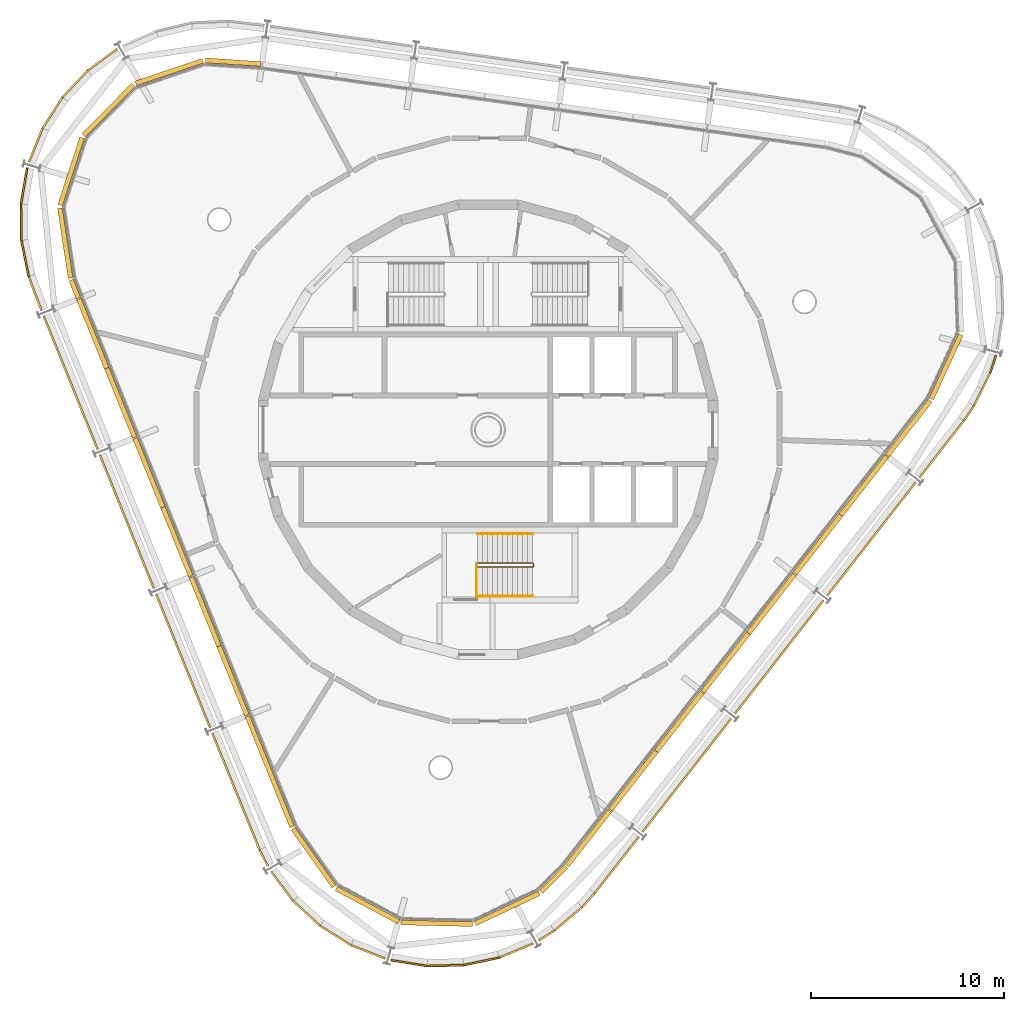
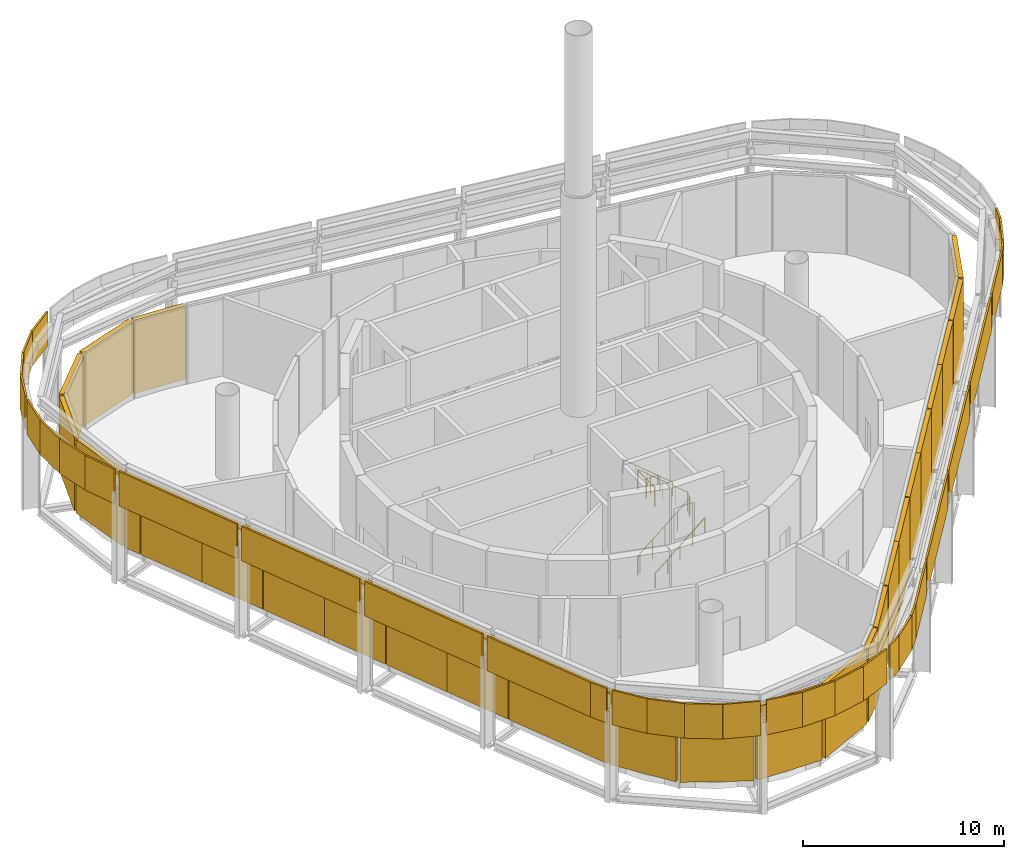
# One storey, part 14 of 15: 32 coverings, 27 shading devices, 4 railings.
"""IFC4 building model written with IfcOpenShell, lengths in metres."""

from ifc_helpers import new_model, si_unit, direction, frame, origin, origin_2d, place, context, subcontext, project, spatial, polyline, rectangle, circle, outline, extrude, material, layer, layer_set, type_object, element, save


model = new_model("IFC4")

# Units and contexts
model_context = context("Model", 3, precision=1e-05, world=origin(), true_north=direction((0.0, 1.0)))
body_context = subcontext(model_context, "Body", "Model", "MODEL_VIEW")
ifc_project = project(units=[si_unit("LENGTHUNIT", "METRE"), si_unit("AREAUNIT", "SQUARE_METRE"), si_unit("VOLUMEUNIT", "CUBIC_METRE"), si_unit("PLANEANGLEUNIT", "RADIAN"), si_unit("MASSUNIT", "GRAM", prefix="KILO")], contexts=[model_context])

# Site, building, storey
site_placement = place(None, origin())
site = spatial("IfcSite", under=ifc_project, at=site_placement, CompositionType="ELEMENT")
building_placement = place(site_placement, origin())
building = spatial("IfcBuilding", under=site, at=building_placement, Name="Spindle Arch Residences", CompositionType="ELEMENT")
storey_placement = place(building_placement, frame((0.0, 0.0, 366.199951171875)))
storey = spatial("IfcBuildingStorey", under=building, at=storey_placement, Name="L94", CompositionType="ELEMENT", Elevation=366.199951171875)

# Shading devices
ifc_material_1 = material(Name="Bronze anodised aluminium louvre blades", Category="aluminium")
shading_device_type = type_object("IfcShadingDeviceType", Name="Bronze louvre bank 250", PredefinedType="USERDEFINED", material=ifc_material_1)
shading_device_1_placement = place(storey_placement, frame((21.79150390625, 0.078857421875, 0.199951171875), z_axis=(0.0, 0.0, 1.0), x_axis=(0.615661475326, 0.788010753607, 0.0)))
element("IfcShadingDevice", 1, at=shading_device_1_placement, inside=storey, type_object=shading_device_type, Name="Crown louvre L94 00", ObjectType="LOUVRE", PredefinedType="USERDEFINED", context=body_context, shape_type="SweptSolid", body=[
    extrude(rectangle(XDim=3.60009765625, YDim=0.25, at=origin_2d()), origin(), (0.0, 0.0, 1.0), 4.47998046875),
])
shading_device_2_placement = place(storey_placement, frame((23.720703125, 3.255126953125, 0.199951171875), z_axis=(0.0, 0.0, 1.0), x_axis=(0.417338452362, 0.908751129947, 0.0)))
element("IfcShadingDevice", 2, at=shading_device_2_placement, inside=storey, type_object=shading_device_type, Name="Crown louvre L94 01", ObjectType="LOUVRE", PredefinedType="USERDEFINED", context=body_context, shape_type="SweptSolid", body=[
    extrude(rectangle(XDim=3.666748046875, YDim=0.25, at=origin_2d()), origin(), (0.0, 0.0, 1.0), 4.47998046875),
])
shading_device_3_placement = place(storey_placement, frame((-13.19873046875, 19.0361328125, 0.199951171875), z_axis=(0.0, 0.0, 1.0), x_axis=(-0.99785193122, 0.065509719587, 0.0)))
element("IfcShadingDevice", 3, at=shading_device_3_placement, inside=storey, type_object=shading_device_type, Name="Crown louvre L94 00", ObjectType="LOUVRE", PredefinedType="USERDEFINED", context=body_context, shape_type="SweptSolid", body=[
    extrude(rectangle(XDim=2.883056640625, YDim=0.25, at=origin_2d()), origin(), (0.0, 0.0, 1.0), 4.47998046875),
])
for number, where, z_axis, x_axis, name in (
    (4, (-16.511474609375, 18.52587890625, 0.199951171875), (0.0, 0.0, 1.0), (-0.947396640541, -0.320061877599, 0.0), "Crown louvre L94 01"),
    (5, (-19.6669921875, 16.553955078125, 0.199951171875), (0.0, 0.0, 1.0), (-0.702981055369, -0.711208574043, 0.0), "Crown louvre L94 02"),
    (6, (-21.601806640625, 13.375732421875, 0.199951171875), (0.0, 0.0, 1.0), (-0.309016990673, -0.951056517498, 0.0), "Crown louvre L94 03"),
    (7, (-21.904541015625, 9.667236328125, 0.199951171875), (0.0, 0.0, 1.0), (0.150685718984, -0.988581718471, 0.0), "Crown louvre L94 04"),
):
    element("IfcShadingDevice", number, at=place(storey_placement, frame(where, z_axis=z_axis, x_axis=x_axis)), inside=storey, type_object=shading_device_type, Name=name, ObjectType="LOUVRE", PredefinedType="USERDEFINED", context=body_context, shape_type="SweptSolid", body=[
        extrude(rectangle(XDim=3.666748046875, YDim=0.25, at=origin_2d()), origin(), (0.0, 0.0, 1.0), 4.47998046875),
    ])
shading_device_4_placement = place(storey_placement, frame((-21.41064453125, 7.282470703125, 0.199951171875), z_axis=(0.0, 0.0, 1.0), x_axis=(0.374606593416, -0.927183854567, 0.0)))
element("IfcShadingDevice", 8, at=shading_device_4_placement, inside=storey, type_object=shading_device_type, Name="Crown louvre L94 05", ObjectType="LOUVRE", PredefinedType="USERDEFINED", context=body_context, shape_type="SweptSolid", body=[
    extrude(rectangle(XDim=1.01171875, YDim=0.25, at=origin_2d()), origin(), (0.0, 0.0, 1.0), 4.47998046875),
])
for number, where, z_axis, x_axis, name in (
    (9, (-20.476806640625, 4.9716796875, 0.199951171875), (0.0, 0.0, 1.0), (0.374606593416, -0.927183854567, 0.0), "Crown louvre L94 11A"),
    (10, (-19.03369140625, 1.3994140625, 0.199951171875), (0.0, 0.0, 1.0), (0.374606593416, -0.927183854567, 0.0), "Crown louvre L94 11B"),
    (11, (-17.56787109375, -2.228271484375, 0.199951171875), (0.0, 0.0, 1.0), (0.374606593416, -0.927183854567, 0.0), "Crown louvre L94 12A"),
    (12, (-16.12451171875, -5.800537109375, 0.199951171875), (0.0, 0.0, 1.0), (0.374606593416, -0.927183854567, 0.0), "Crown louvre L94 12B"),
    (13, (-14.658935546875, -9.428466796875, 0.199951171875), (0.0, 0.0, 1.0), (0.374606593416, -0.927183854567, 0.0), "Crown louvre L94 13A"),
    (14, (-13.215576171875, -13.000732421875, 0.199951171875), (0.0, 0.0, 1.0), (0.374606593416, -0.927183854567, 0.0), "Crown louvre L94 13B"),
):
    element("IfcShadingDevice", number, at=place(storey_placement, frame(where, z_axis=z_axis, x_axis=x_axis)), inside=storey, type_object=shading_device_type, Name=name, ObjectType="LOUVRE", PredefinedType="USERDEFINED", context=body_context, shape_type="SweptSolid", body=[
        extrude(rectangle(XDim=3.852783203125, YDim=0.25, at=origin_2d()), origin(), (0.0, 0.0, 1.0), 4.47998046875),
    ])
shading_device_5_placement = place(storey_placement, frame((-11.312255859375, -17.711669921875, 0.199951171875), z_axis=(0.0, 0.0, 1.0), x_axis=(0.374606593416, -0.927183854567, 0.0)))
element("IfcShadingDevice", 15, at=shading_device_5_placement, inside=storey, type_object=shading_device_type, Name="Crown louvre L94 00", ObjectType="LOUVRE", PredefinedType="USERDEFINED", context=body_context, shape_type="SweptSolid", body=[
    extrude(rectangle(XDim=6.188720703125, YDim=0.25, at=origin_2d()), origin(), (0.0, 0.0, 1.0), 4.47998046875),
])
for number, where, z_axis, x_axis, name in (
    (16, (-9.041259765625, -22.17041015625, 0.199951171875), (0.0, 0.0, 1.0), (0.578332338584, -0.815801266332, 0.0), "Crown louvre L94 01"),
    (17, (-6.24755859375, -24.627685546875, 0.199951171875), (0.0, 0.0, 1.0), (0.882947592408, -0.469471563633, 0.0), "Crown louvre L94 02"),
    (18, (-2.64794921875, -25.56982421875, 0.199951171875), (0.0, 0.0, 1.0), (0.999729241109, -0.023268959422, 0.0), "Crown louvre L94 03"),
    (19, (0.99169921875, -24.796142578125, 0.199951171875), (0.0, 0.0, 1.0), (0.903833768547, 0.427883767902, 0.0), "Crown louvre L94 04"),
):
    element("IfcShadingDevice", number, at=place(storey_placement, frame(where, z_axis=z_axis, x_axis=x_axis)), inside=storey, type_object=shading_device_type, Name=name, ObjectType="LOUVRE", PredefinedType="USERDEFINED", context=body_context, shape_type="SweptSolid", body=[
        extrude(rectangle(XDim=3.666748046875, YDim=0.25, at=origin_2d()), origin(), (0.0, 0.0, 1.0), 4.47998046875),
    ])
shading_device_6_placement = place(storey_placement, frame((3.393310546875, -23.29052734375, 0.199951171875), z_axis=(0.0, 0.0, 1.0), x_axis=(0.702981053644, 0.711208575748, 0.0)))
element("IfcShadingDevice", 20, at=shading_device_6_placement, inside=storey, type_object=shading_device_type, Name="Crown louvre L94 05", ObjectType="LOUVRE", PredefinedType="USERDEFINED", context=body_context, shape_type="SweptSolid", body=[
    extrude(rectangle(XDim=1.816162109375, YDim=0.25, at=origin_2d()), origin(), (0.0, 0.0, 1.0), 4.47998046875),
])
shading_device_7_placement = place(storey_placement, frame((5.1953125, -21.163330078125, 0.199951171875), z_axis=(0.0, 0.0, 1.0), x_axis=(0.615661475326, 0.788010753607, 0.0)))
element("IfcShadingDevice", 21, at=shading_device_7_placement, inside=storey, type_object=shading_device_type, Name="Crown louvre L94 06", ObjectType="LOUVRE", PredefinedType="USERDEFINED", context=body_context, shape_type="SweptSolid", body=[
    extrude(rectangle(XDim=3.60009765625, YDim=0.25, at=origin_2d()), origin(), (0.0, 0.0, 1.0), 4.47998046875),
])
for number, where, z_axis, x_axis, name in (
    (22, (7.5263671875, -18.1796875, 0.199951171875), (0.0, 0.0, 1.0), (0.615661475326, 0.788010753607, 0.0), "Crown louvre L94 18A"),
    (23, (9.8984375, -15.1435546875, 0.199951171875), (0.0, 0.0, 1.0), (0.615661475326, 0.788010753607, 0.0), "Crown louvre L94 18B"),
    (24, (12.307373046875, -12.060302734375, 0.199951171875), (0.0, 0.0, 1.0), (0.615661475326, 0.788010753607, 0.0), "Crown louvre L94 19A"),
    (25, (14.679443359375, -9.024169921875, 0.199951171875), (0.0, 0.0, 1.0), (0.615661475326, 0.788010753607, 0.0), "Crown louvre L94 19B"),
    (26, (17.08837890625, -5.94091796875, 0.199951171875), (0.0, 0.0, 1.0), (0.615661475326, 0.788010753607, 0.0), "Crown louvre L94 00A"),
    (27, (19.46044921875, -2.90478515625, 0.199951171875), (0.0, 0.0, 1.0), (0.615661475326, 0.788010753607, 0.0), "Crown louvre L94 00B"),
):
    element("IfcShadingDevice", number, at=place(storey_placement, frame(where, z_axis=z_axis, x_axis=x_axis)), inside=storey, type_object=shading_device_type, Name=name, ObjectType="LOUVRE", PredefinedType="USERDEFINED", context=body_context, shape_type="SweptSolid", body=[
        extrude(rectangle(XDim=3.852783203125, YDim=0.25, at=origin_2d()), origin(), (0.0, 0.0, 1.0), 4.47998046875),
    ])

# Coverings
ifc_material_2 = material(Name="Bronze anodised aluminium cladding panel", Category="aluminium")
ifc_layer = layer(ifc_material_2, 0.10009765625)
ifc_layer_set = layer_set([ifc_layer], Name="Crown cladding panel 100")
covering_type = type_object("IfcCoveringType", Name="Crown cladding panel 100", PredefinedType="CLADDING", material=ifc_layer_set)
covering_1_placement = place(storey_placement, frame((0.0, 0.0, 4.300048828125)))
element("IfcCovering", 28, at=covering_1_placement, inside=storey, type_object=covering_type, Name="Crown cladding panel 1.1", PredefinedType="CLADDING", context=body_context, shape_type="SweptSolid", body=[
    extrude(outline(polyline([(22.12109375, -2.691162109375), (22.19970703125, -2.752685546875), (17.603515625, -8.6357421875), (17.524658203125, -8.57421875), (22.12109375, -2.691162109375)])), origin(), (0.0, 0.0, 1.0), 2.10009765625),
])
covering_2_placement = place(storey_placement, frame((0.0, 0.0, 4.300048828125)))
element("IfcCovering", 29, at=covering_2_placement, inside=storey, type_object=covering_type, Name="Crown cladding panel 2.1", PredefinedType="CLADDING", context=body_context, shape_type="SweptSolid", body=[
    extrude(outline(polyline([(24.60498046875, 0.492431640625), (24.683837890625, 0.430908203125), (22.384521484375, -2.516357421875), (22.3056640625, -2.454833984375), (24.60498046875, 0.492431640625)])), origin(), (0.0, 0.0, 1.0), 2.10009765625),
])
covering_3_placement = place(storey_placement, frame((0.0, 0.0, 4.300048828125)))
element("IfcCovering", 30, at=covering_3_placement, inside=storey, type_object=covering_type, Name="Crown cladding panel 2.2", PredefinedType="CLADDING", context=body_context, shape_type="SweptSolid", body=[
    extrude(outline(polyline([(25.13671875, 1.2783203125), (25.219482421875, 1.22216796875), (24.684814453125, 0.43212890625), (24.60205078125, 0.48828125), (25.13671875, 1.2783203125)])), origin(), (0.0, 0.0, 1.0), 2.10009765625),
])
covering_4_placement = place(storey_placement, frame((0.0, 0.0, 4.300048828125)))
element("IfcCovering", 31, at=covering_4_placement, inside=storey, type_object=covering_type, Name="Crown cladding panel 2.3", PredefinedType="CLADDING", context=body_context, shape_type="SweptSolid", body=[
    extrude(outline(polyline([(25.970703125, 2.978515625), (26.060546875, 2.9345703125), (25.22119140625, 1.22509765625), (25.131591796875, 1.269287109375), (25.970703125, 2.978515625)])), origin(), (0.0, 0.0, 1.0), 2.10009765625),
])
covering_5_placement = place(storey_placement, frame((0.0, 0.0, 4.300048828125)))
element("IfcCovering", 32, at=covering_5_placement, inside=storey, type_object=covering_type, Name="Crown cladding panel 2.4", PredefinedType="CLADDING", context=body_context, shape_type="SweptSolid", body=[
    extrude(outline(polyline([(26.2646484375, 3.874267578125), (26.359619140625, 3.843017578125), (26.061767578125, 2.937744140625), (25.966796875, 2.968994140625), (26.2646484375, 3.874267578125)])), origin(), (0.0, 0.0, 1.0), 2.10009765625),
])
covering_6_placement = place(storey_placement, frame((0.0, 0.0, 4.300048828125)))
element("IfcCovering", 33, at=covering_6_placement, inside=storey, type_object=covering_type, Name="Crown cladding panel 10.1", PredefinedType="CLADDING", context=body_context, shape_type="SweptSolid", body=[
    extrude(outline(polyline([(-20.715087890625, 18.56591796875), (-20.774169921875, 18.646484375), (-19.23681640625, 19.768310546875), (-19.177978515625, 19.6875), (-20.715087890625, 18.56591796875)])), origin(), (0.0, 0.0, 1.0), 2.10009765625),
])
covering_7_placement = place(storey_placement, frame((0.0, 0.0, 4.300048828125)))
element("IfcCovering", 34, at=covering_7_placement, inside=storey, type_object=covering_type, Name="Crown cladding panel 10.2", PredefinedType="CLADDING", context=body_context, shape_type="SweptSolid", body=[
    extrude(outline(polyline([(-22.01123046875, 17.188232421875), (-22.083984375, 17.2568359375), (-20.777587890625, 18.6435546875), (-20.70458984375, 18.574951171875), (-22.01123046875, 17.188232421875)])), origin(), (0.0, 0.0, 1.0), 2.10009765625),
])
covering_8_placement = place(storey_placement, frame((0.0, 0.0, 4.300048828125)))
element("IfcCovering", 35, at=covering_8_placement, inside=storey, type_object=covering_type, Name="Crown cladding panel 10.3", PredefinedType="CLADDING", context=body_context, shape_type="SweptSolid", body=[
    extrude(outline(polyline([(-23.0322265625, 15.595947265625), (-23.116455078125, 15.64990234375), (-22.0869140625, 17.253173828125), (-22.002685546875, 17.19921875), (-23.0322265625, 15.595947265625)])), origin(), (0.0, 0.0, 1.0), 2.10009765625),
])
covering_9_placement = place(storey_placement, frame((0.0, 0.0, 4.300048828125)))
element("IfcCovering", 36, at=covering_9_placement, inside=storey, type_object=covering_type, Name="Crown cladding panel 10.4", PredefinedType="CLADDING", context=body_context, shape_type="SweptSolid", body=[
    extrude(outline(polyline([(-23.742431640625, 13.84521484375), (-23.8349609375, 13.883056640625), (-23.118408203125, 15.64599609375), (-23.02587890625, 15.608154296875), (-23.742431640625, 13.84521484375)])), origin(), (0.0, 0.0, 1.0), 2.10009765625),
])
covering_10_placement = place(storey_placement, frame((0.0, 0.0, 4.300048828125)))
element("IfcCovering", 37, at=covering_10_placement, inside=storey, type_object=covering_type, Name="Crown cladding panel 11.1", PredefinedType="CLADDING", context=body_context, shape_type="SweptSolid", body=[
    extrude(outline(polyline([(-24.1484375, 11.6865234375), (-24.2470703125, 11.70361328125), (-23.922119140625, 13.57861328125), (-23.823486328125, 13.5615234375), (-24.1484375, 11.6865234375)])), origin(), (0.0, 0.0, 1.0), 2.10009765625),
])
covering_11_placement = place(storey_placement, frame((0.0, 0.0, 4.300048828125)))
element("IfcCovering", 38, at=covering_11_placement, inside=storey, type_object=covering_type, Name="Crown cladding panel 11.2", PredefinedType="CLADDING", context=body_context, shape_type="SweptSolid", body=[
    extrude(outline(polyline([(-24.1220703125, 9.795166015625), (-24.22216796875, 9.7939453125), (-24.247314453125, 11.698974609375), (-24.147216796875, 11.7001953125), (-24.1220703125, 9.795166015625)])), origin(), (0.0, 0.0, 1.0), 2.10009765625),
])
covering_12_placement = place(storey_placement, frame((0.0, 0.0, 4.300048828125)))
element("IfcCovering", 39, at=covering_12_placement, inside=storey, type_object=covering_type, Name="Crown cladding panel 11.3", PredefinedType="CLADDING", context=body_context, shape_type="SweptSolid", body=[
    extrude(outline(polyline([(-23.748779296875, 7.941162109375), (-23.8466796875, 7.92138671875), (-24.2216796875, 9.789306640625), (-24.12353515625, 9.808837890625), (-23.748779296875, 7.941162109375)])), origin(), (0.0, 0.0, 1.0), 2.10009765625),
])
covering_13_placement = place(storey_placement, frame((0.0, 0.0, 4.300048828125)))
element("IfcCovering", 40, at=covering_13_placement, inside=storey, type_object=covering_type, Name="Crown cladding panel 11.4", PredefinedType="CLADDING", context=body_context, shape_type="SweptSolid", body=[
    extrude(outline(polyline([(-23.08740234375, 6.1875), (-23.18115234375, 6.15234375), (-23.845703125, 7.91748046875), (-23.752197265625, 7.952880859375), (-23.08740234375, 6.1875)])), origin(), (0.0, 0.0, 1.0), 2.10009765625),
])
covering_14_placement = place(storey_placement, frame((0.0, 0.0, 4.300048828125)))
element("IfcCovering", 41, at=covering_14_placement, inside=storey, type_object=covering_type, Name="Crown cladding panel 12.1", PredefinedType="CLADDING", context=body_context, shape_type="SweptSolid", body=[
    extrude(outline(polyline([(-20.178955078125, -1.011474609375), (-20.271484375, -1.048828125), (-23.068359375, 5.873046875), (-22.9755859375, 5.910400390625), (-20.178955078125, -1.011474609375)])), origin(), (0.0, 0.0, 1.0), 2.10009765625),
])
covering_15_placement = place(storey_placement, frame((0.0, 0.0, 4.300048828125)))
element("IfcCovering", 42, at=covering_15_placement, inside=storey, type_object=covering_type, Name="Crown cladding panel 13.1", PredefinedType="CLADDING", context=body_context, shape_type="SweptSolid", body=[
    extrude(outline(polyline([(-17.269775390625, -8.211669921875), (-17.362548828125, -8.2490234375), (-20.1591796875, -1.3271484375), (-20.06640625, -1.28955078125), (-17.269775390625, -8.211669921875)])), origin(), (0.0, 0.0, 1.0), 2.10009765625),
])
covering_16_placement = place(storey_placement, frame((0.0, 0.0, 4.300048828125)))
element("IfcCovering", 43, at=covering_16_placement, inside=storey, type_object=covering_type, Name="Crown cladding panel 14.1", PredefinedType="CLADDING", context=body_context, shape_type="SweptSolid", body=[
    extrude(outline(polyline([(-14.36083984375, -15.41162109375), (-14.45361328125, -15.44921875), (-17.250244140625, -8.527099609375), (-17.157470703125, -8.48974609375), (-14.36083984375, -15.41162109375)])), origin(), (0.0, 0.0, 1.0), 2.10009765625),
])
covering_17_placement = place(storey_placement, frame((0.0, 0.0, 4.300048828125)))
element("IfcCovering", 44, at=covering_17_placement, inside=storey, type_object=covering_type, Name="Crown cladding panel 15.1", PredefinedType="CLADDING", context=body_context, shape_type="SweptSolid", body=[
    extrude(outline(polyline([(-11.7890625, -21.751708984375), (-11.881591796875, -21.789306640625), (-14.341064453125, -15.727294921875), (-14.248291015625, -15.689697265625), (-11.7890625, -21.751708984375)])), origin(), (0.0, 0.0, 1.0), 2.10009765625),
])
covering_18_placement = place(storey_placement, frame((0.0, 0.0, 4.300048828125)))
element("IfcCovering", 45, at=covering_18_placement, inside=storey, type_object=covering_type, Name="Crown cladding panel 15.2", PredefinedType="CLADDING", context=body_context, shape_type="SweptSolid", body=[
    extrude(outline(polyline([(-11.357666015625, -22.59375), (-11.44677734375, -22.63916015625), (-11.880615234375, -21.79150390625), (-11.791748046875, -21.745849609375), (-11.357666015625, -22.59375)])), origin(), (0.0, 0.0, 1.0), 2.10009765625),
])
covering_19_placement = place(storey_placement, frame((0.0, 0.0, 4.300048828125)))
element("IfcCovering", 46, at=covering_19_placement, inside=storey, type_object=covering_type, Name="Crown cladding panel 16.1", PredefinedType="CLADDING", context=body_context, shape_type="SweptSolid", body=[
    extrude(outline(polyline([(-10.06787109375, -24.37451171875), (-10.14794921875, -24.4345703125), (-11.28662109375, -22.90966796875), (-11.206298828125, -22.849853515625), (-10.06787109375, -24.37451171875)])), origin(), (0.0, 0.0, 1.0), 2.10009765625),
])
covering_20_placement = place(storey_placement, frame((0.0, 0.0, 4.300048828125)))
element("IfcCovering", 47, at=covering_20_placement, inside=storey, type_object=covering_type, Name="Crown cladding panel 16.2", PredefinedType="CLADDING", context=body_context, shape_type="SweptSolid", body=[
    extrude(outline(polyline([(-8.676025390625, -25.655517578125), (-8.743896484375, -25.72900390625), (-10.14501953125, -24.43798828125), (-10.0771484375, -24.3642578125), (-8.676025390625, -25.655517578125)])), origin(), (0.0, 0.0, 1.0), 2.10009765625),
])
covering_21_placement = place(storey_placement, frame((0.0, 0.0, 4.300048828125)))
element("IfcCovering", 48, at=covering_21_placement, inside=storey, type_object=covering_type, Name="Crown cladding panel 16.3", PredefinedType="CLADDING", context=body_context, shape_type="SweptSolid", body=[
    extrude(outline(polyline([(-7.072509765625, -26.658935546875), (-7.125732421875, -26.74365234375), (-8.739990234375, -25.731689453125), (-8.68701171875, -25.647216796875), (-7.072509765625, -26.658935546875)])), origin(), (0.0, 0.0, 1.0), 2.10009765625),
])
covering_22_placement = place(storey_placement, frame((0.0, 0.0, 4.300048828125)))
element("IfcCovering", 49, at=covering_22_placement, inside=storey, type_object=covering_type, Name="Crown cladding panel 16.4", PredefinedType="CLADDING", context=body_context, shape_type="SweptSolid", body=[
    extrude(outline(polyline([(-5.314208984375, -27.349609375), (-5.350830078125, -27.442626953125), (-7.12158203125, -26.74560546875), (-7.0849609375, -26.652587890625), (-5.314208984375, -27.349609375)])), origin(), (0.0, 0.0, 1.0), 2.10009765625),
])
covering_23_placement = place(storey_placement, frame((0.0, 0.0, 4.300048828125)))
element("IfcCovering", 50, at=covering_23_placement, inside=storey, type_object=covering_type, Name="Crown cladding panel 17.1", PredefinedType="CLADDING", context=body_context, shape_type="SweptSolid", body=[
    extrude(outline(polyline([(-3.15087890625, -27.73193359375), (-3.1669921875, -27.83056640625), (-5.04541015625, -27.526611328125), (-5.029541015625, -27.427734375), (-3.15087890625, -27.73193359375)])), origin(), (0.0, 0.0, 1.0), 2.10009765625),
])
covering_24_placement = place(storey_placement, frame((0.0, 0.0, 4.300048828125)))
element("IfcCovering", 51, at=covering_24_placement, inside=storey, type_object=covering_type, Name="Crown cladding panel 17.2", PredefinedType="CLADDING", context=body_context, shape_type="SweptSolid", body=[
    extrude(outline(polyline([(-1.260009765625, -27.684814453125), (-1.2578125, -27.78466796875), (-3.162353515625, -27.8310546875), (-3.164794921875, -27.73095703125), (-1.260009765625, -27.684814453125)])), origin(), (0.0, 0.0, 1.0), 2.10009765625),
])
covering_25_placement = place(storey_placement, frame((0.0, 0.0, 4.300048828125)))
element("IfcCovering", 52, at=covering_25_placement, inside=storey, type_object=covering_type, Name="Crown cladding panel 17.3", PredefinedType="CLADDING", context=body_context, shape_type="SweptSolid", body=[
    extrude(outline(polyline([(0.590087890625, -27.291015625), (0.610595703125, -27.388916015625), (-1.253173828125, -27.7841796875), (-1.273681640625, -27.686279296875), (0.590087890625, -27.291015625)])), origin(), (0.0, 0.0, 1.0), 2.10009765625),
])
covering_26_placement = place(storey_placement, frame((0.0, 0.0, 4.300048828125)))
element("IfcCovering", 53, at=covering_26_placement, inside=storey, type_object=covering_type, Name="Crown cladding panel 17.4", PredefinedType="CLADDING", context=body_context, shape_type="SweptSolid", body=[
    extrude(outline(polyline([(2.333984375, -26.564697265625), (2.372314453125, -26.656982421875), (0.614990234375, -27.387451171875), (0.57666015625, -27.294921875), (2.333984375, -26.564697265625)])), origin(), (0.0, 0.0, 1.0), 2.10009765625),
])
covering_27_placement = place(storey_placement, frame((0.0, 0.0, 4.300048828125)))
element("IfcCovering", 54, at=covering_27_placement, inside=storey, type_object=covering_type, Name="Crown cladding panel 18.1", PredefinedType="CLADDING", context=body_context, shape_type="SweptSolid", body=[
    extrude(outline(polyline([(3.4013671875, -25.913818359375), (3.45458984375, -25.998291015625), (2.648193359375, -26.50634765625), (2.594970703125, -26.421630859375), (3.4013671875, -25.913818359375)])), origin(), (0.0, 0.0, 1.0), 2.10009765625),
])
covering_28_placement = place(storey_placement, frame((0.0, 0.0, 4.300048828125)))
element("IfcCovering", 55, at=covering_28_placement, inside=storey, type_object=covering_type, Name="Crown cladding panel 18.2", PredefinedType="CLADDING", context=body_context, shape_type="SweptSolid", body=[
    extrude(outline(polyline([(4.848388671875, -24.692138671875), (4.912841796875, -24.7685546875), (3.45751953125, -25.996337890625), (3.392822265625, -25.919921875), (4.848388671875, -24.692138671875)])), origin(), (0.0, 0.0, 1.0), 2.10009765625),
])
covering_29_placement = place(storey_placement, frame((0.0, 0.0, 4.300048828125)))
element("IfcCovering", 56, at=covering_29_placement, inside=storey, type_object=covering_type, Name="Crown cladding panel 18.3", PredefinedType="CLADDING", context=body_context, shape_type="SweptSolid", body=[
    extrude(outline(polyline([(5.47802734375, -23.989501953125), (5.552490234375, -24.05615234375), (4.915283203125, -24.76611328125), (4.8408203125, -24.69921875), (5.47802734375, -23.989501953125)])), origin(), (0.0, 0.0, 1.0), 2.10009765625),
])
covering_30_placement = place(storey_placement, frame((0.0, 0.0, 4.300048828125)))
element("IfcCovering", 57, at=covering_30_placement, inside=storey, type_object=covering_type, Name="Crown cladding panel 18.4", PredefinedType="CLADDING", context=body_context, shape_type="SweptSolid", body=[
    extrude(outline(polyline([(7.778076171875, -21.04931640625), (7.85693359375, -21.11083984375), (5.553466796875, -24.054931640625), (5.474853515625, -23.993408203125), (7.778076171875, -21.04931640625)])), origin(), (0.0, 0.0, 1.0), 2.10009765625),
])
covering_31_placement = place(storey_placement, frame((0.0, 0.0, 4.300048828125)))
element("IfcCovering", 58, at=covering_31_placement, inside=storey, type_object=covering_type, Name="Crown cladding panel 19.1", PredefinedType="CLADDING", context=body_context, shape_type="SweptSolid", body=[
    extrude(outline(polyline([(12.55908203125, -14.929931640625), (12.6376953125, -14.991455078125), (8.04150390625, -20.87451171875), (7.962890625, -20.812744140625), (12.55908203125, -14.929931640625)])), origin(), (0.0, 0.0, 1.0), 2.10009765625),
])
covering_32_placement = place(storey_placement, frame((0.0, 0.0, 4.300048828125)))
element("IfcCovering", 59, at=covering_32_placement, inside=storey, type_object=covering_type, Name="Crown cladding panel 20.1", PredefinedType="CLADDING", context=body_context, shape_type="SweptSolid", body=[
    extrude(outline(polyline([(17.340087890625, -8.810546875), (17.418701171875, -8.8720703125), (12.822509765625, -14.755126953125), (12.74365234375, -14.693603515625), (17.340087890625, -8.810546875)])), origin(), (0.0, 0.0, 1.0), 2.10009765625),
])

# Railings
ifc_material_3 = material(Name="Steel, painted", Category="steel")
railing_type_1 = type_object("IfcRailingType", Name="Stair guard 1100", PredefinedType="GUARDRAIL", material=ifc_material_3)
railing_1_placement = place(storey_placement, frame((-0.550048828125, -6.89990234375, 5.199951171875)))
element("IfcRailing", 60, at=railing_1_placement, inside=storey, type_object=railing_type_1, Name="L94 ST3 stair guard 1", PredefinedType="GUARDRAIL", context=body_context, shape_type="SweptSolid", body=[
    extrude(circle(Radius=0.02392578125, at=origin_2d()), frame((0.0, 0.0, 1.17578125), z_axis=(0.768237404905, 0.0, -0.640165048799), x_axis=(0.0, 1.0, 0.0)), (0.0, 0.0, 1.0), 3.722900390625),
    extrude(circle(Radius=0.02392578125, at=origin_2d()), frame((2.860107421875, 0.0, -1.20751953125), z_axis=(0.219679693006, -0.219679693006, -0.950516525349), x_axis=(0.707106781187, 0.707106781187, 0.0)), (0.0, 0.0, 1.0), 0.227783203125),
    extrude(circle(Radius=0.02392578125, at=origin_2d()), frame((2.91015625, -0.050048828125, -1.423828125), z_axis=(0.0, -1.0, 0.0), x_axis=(1.0, 0.0, 0.0)), (0.0, 0.0, 1.0), 0.1201171875),
    extrude(circle(Radius=0.02392578125, at=origin_2d()), frame((2.91015625, -0.170166015625, -1.423828125), z_axis=(-0.707106781187, -0.707106781187, 0.0), x_axis=(0.707106781187, -0.707106781187, 0.0)), (0.0, 0.0, 1.0), 0.07080078125),
    extrude(circle(Radius=0.02392578125, at=origin_2d()), frame((2.860107421875, -0.22021484375, -1.423828125), z_axis=(-0.768237404905, 0.0, -0.640165048799), x_axis=(0.0, -1.0, 0.0)), (0.0, 0.0, 1.0), 3.722900390625),
    extrude(circle(Radius=0.02392578125, at=origin_2d()), frame((0.0, -0.22021484375, -3.80712890625), z_axis=(-0.219456146917, 0.219456146917, -0.950619797375), x_axis=(-0.707106781187, -0.707106781187, 0.0)), (0.0, 0.0, 1.0), 0.22802734375),
    extrude(circle(Radius=0.02392578125, at=origin_2d()), frame((-0.050048828125, -0.170166015625, -4.02392578125), z_axis=(0.0, 1.0, 0.0), x_axis=(-1.0, 0.0, 0.0)), (0.0, 0.0, 1.0), 0.1201171875),
    extrude(circle(Radius=0.02099609375, at=origin_2d()), origin(), (0.0, 0.0, 1.0), 1.15185546875),
    extrude(circle(Radius=0.02099609375, at=origin_2d()), frame((0.715087890625, 0.0, -0.595703125)), (0.0, 0.0, 1.0), 1.15185546875),
    extrude(circle(Radius=0.02099609375, at=origin_2d()), frame((1.43017578125, 0.0, -1.191650390625)), (0.0, 0.0, 1.0), 1.15185546875),
    extrude(circle(Radius=0.02099609375, at=origin_2d()), frame((2.14501953125, 0.0, -1.78759765625)), (0.0, 0.0, 1.0), 1.15185546875),
    extrude(circle(Radius=0.02099609375, at=origin_2d()), frame((2.860107421875, 0.0, -2.38330078125)), (0.0, 0.0, 1.0), 1.15185546875),
    extrude(circle(Radius=0.02099609375, at=origin_2d()), frame((2.91015625, -0.050048828125, -2.599853515625)), (0.0, 0.0, 1.0), 1.15185546875),
    extrude(circle(Radius=0.02099609375, at=origin_2d()), frame((2.91015625, -0.170166015625, -2.599853515625)), (0.0, 0.0, 1.0), 1.15185546875),
    extrude(circle(Radius=0.02099609375, at=origin_2d()), frame((2.860107421875, -0.22021484375, -2.599853515625)), (0.0, 0.0, 1.0), 1.15185546875),
    extrude(circle(Radius=0.02099609375, at=origin_2d()), frame((2.14501953125, -0.22021484375, -3.19580078125)), (0.0, 0.0, 1.0), 1.15185546875),
    extrude(circle(Radius=0.02099609375, at=origin_2d()), frame((1.43017578125, -0.22021484375, -3.79150390625)), (0.0, 0.0, 1.0), 1.15185546875),
    extrude(circle(Radius=0.02099609375, at=origin_2d()), frame((0.715087890625, -0.22021484375, -4.38720703125)), (0.0, 0.0, 1.0), 1.15185546875),
    extrude(circle(Radius=0.02099609375, at=origin_2d()), frame((0.0, -0.22021484375, -4.983154296875)), (0.0, 0.0, 1.0), 1.15185546875),
    extrude(circle(Radius=0.02099609375, at=origin_2d()), frame((-0.050048828125, -0.170166015625, -5.199951171875)), (0.0, 0.0, 1.0), 1.15185546875),
    extrude(circle(Radius=0.02099609375, at=origin_2d()), frame((-0.050048828125, -0.050048828125, -5.199951171875)), (0.0, 0.0, 1.0), 1.15185546875),
])
railing_2_placement = place(storey_placement, frame((-0.60009765625, -8.669921875, 5.199951171875)))
element("IfcRailing", 61, at=railing_2_placement, inside=storey, type_object=railing_type_1, Name="L94 ST3 top well guard 1", PredefinedType="GUARDRAIL", context=body_context, shape_type="SweptSolid", body=[
    extrude(circle(Radius=0.02392578125, at=origin_2d()), frame((0.0, 0.0, 1.17578125), z_axis=(0.0, 1.0, 0.0), x_axis=(-1.0, 0.0, 0.0)), (0.0, 0.0, 1.0), 1.719970703125),
    extrude(circle(Radius=0.02099609375, at=origin_2d()), origin(), (0.0, 0.0, 1.0), 1.15185546875),
    extrude(circle(Radius=0.02099609375, at=origin_2d()), frame((0.0, 0.85986328125, 0.0)), (0.0, 0.0, 1.0), 1.15185546875),
    extrude(circle(Radius=0.02099609375, at=origin_2d()), frame((0.0, 1.719970703125, 0.0)), (0.0, 0.0, 1.0), 1.15185546875),
])
ifc_material_4 = material(Name="Steel, painted", Category="steel")
railing_type_2 = type_object("IfcRailingType", Name="Stair handrail 900", PredefinedType="HANDRAIL", material=ifc_material_4)
railing_3_placement = place(storey_placement, frame((-0.550048828125, -8.6201171875, 0.216796875)))
element("IfcRailing", 62, at=railing_3_placement, inside=storey, type_object=railing_type_2, Name="L94 ST3 stair handrail 1", PredefinedType="HANDRAIL", context=body_context, shape_type="SweptSolid", body=[
    extrude(circle(Radius=0.02392578125, at=origin_2d()), frame((0.0, 0.0, 0.8759765625), z_axis=(0.768237404905, 0.0, 0.640165048799), x_axis=(0.0, 1.0, 0.0)), (0.0, 0.0, 1.0), 3.722900390625),
    extrude(circle(Radius=0.02099609375, at=origin_2d()), origin(), (0.0, 0.0, 1.0), 0.851806640625),
    extrude(circle(Radius=0.02099609375, at=origin_2d()), frame((0.715087890625, 0.0, 0.595703125)), (0.0, 0.0, 1.0), 0.851806640625),
    extrude(circle(Radius=0.02099609375, at=origin_2d()), frame((1.43017578125, 0.0, 1.191650390625)), (0.0, 0.0, 1.0), 0.851806640625),
    extrude(circle(Radius=0.02099609375, at=origin_2d()), frame((2.14501953125, 0.0, 1.78759765625)), (0.0, 0.0, 1.0), 0.851806640625),
    extrude(circle(Radius=0.02099609375, at=origin_2d()), frame((2.860107421875, 0.0, 2.38330078125)), (0.0, 0.0, 1.0), 0.851806640625),
])
railing_4_placement = place(storey_placement, frame((2.31005859375, -5.39990234375, 2.816650390625)))
element("IfcRailing", 63, at=railing_4_placement, inside=storey, type_object=railing_type_2, Name="L94 ST3 stair handrail 2", PredefinedType="HANDRAIL", context=body_context, shape_type="SweptSolid", body=[
    extrude(circle(Radius=0.02392578125, at=origin_2d()), frame((0.0, 0.0, 0.8759765625), z_axis=(-0.768237404905, 0.0, 0.640165048799), x_axis=(0.0, -1.0, 0.0)), (0.0, 0.0, 1.0), 3.722900390625),
    extrude(circle(Radius=0.02099609375, at=origin_2d()), origin(), (0.0, 0.0, 1.0), 0.851806640625),
    extrude(circle(Radius=0.02099609375, at=origin_2d()), frame((-0.715087890625, 0.0, 0.595703125)), (0.0, 0.0, 1.0), 0.851806640625),
    extrude(circle(Radius=0.02099609375, at=origin_2d()), frame((-1.43017578125, 0.0, 1.191650390625)), (0.0, 0.0, 1.0), 0.851806640625),
    extrude(circle(Radius=0.02099609375, at=origin_2d()), frame((-2.14501953125, 0.0, 1.78759765625)), (0.0, 0.0, 1.0), 0.851806640625),
    extrude(circle(Radius=0.02099609375, at=origin_2d()), frame((-2.860107421875, 0.0, 2.38330078125)), (0.0, 0.0, 1.0), 0.851806640625),
])

save(model, "model.ifc")
